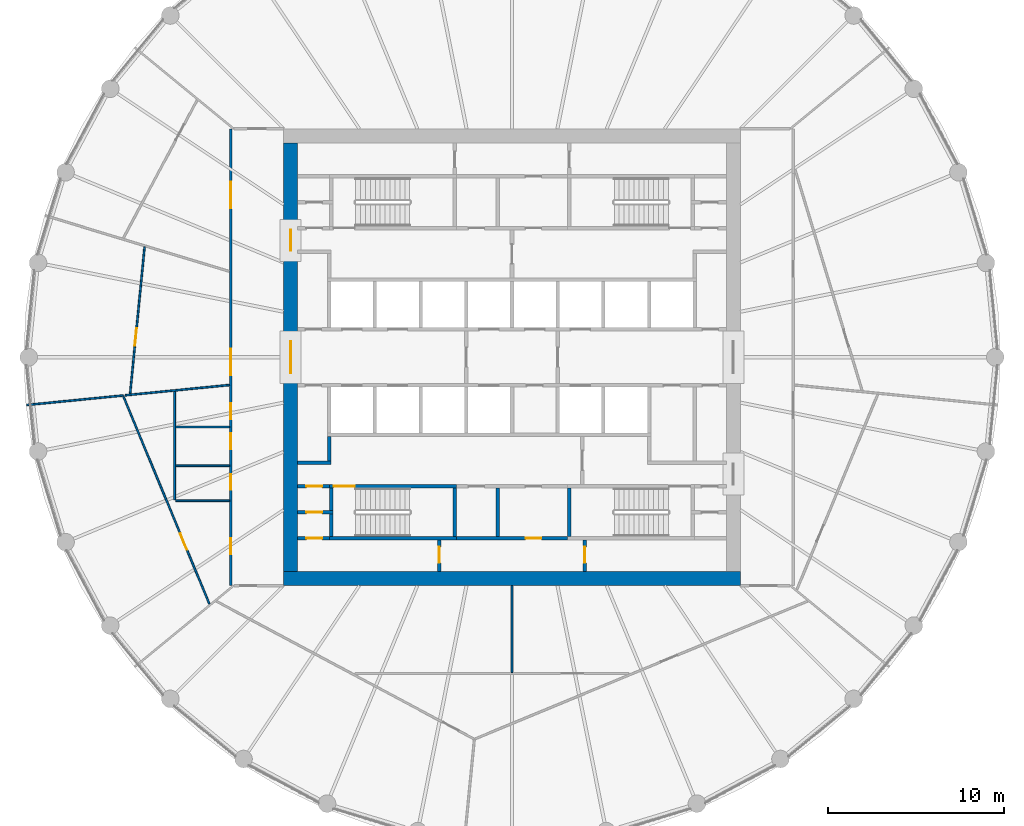
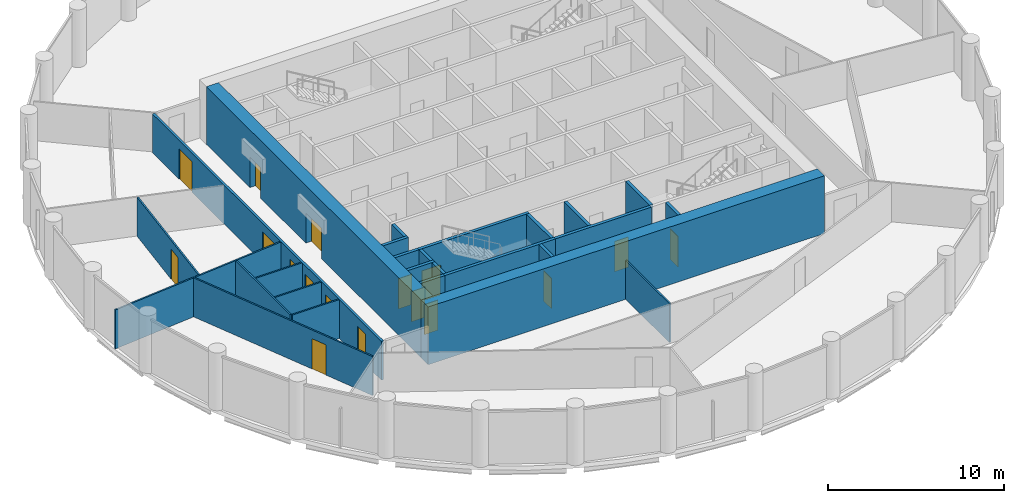
# One storey, part 4 of 9: 27 walls, 17 doors, 17 openings.
"""IFC4 building model written with IfcOpenShell, lengths in metres."""

from ifc_helpers import new_model, si_unit, direction, frame, frame_2d, origin, place, context, subcontext, project, spatial, polyline, rectangle, outline, extrude, material, layer, layer_set, type_object, element, fill, save


model = new_model("IFC4")

# Units and contexts
model_context = context("Model", 3, precision=1e-05, world=origin(), true_north=direction((0.0, 1.0)))
body_context = subcontext(model_context, "Body", "Model", "MODEL_VIEW")
ifc_project = project(units=[si_unit("LENGTHUNIT", "METRE"), si_unit("AREAUNIT", "SQUARE_METRE"), si_unit("VOLUMEUNIT", "CUBIC_METRE"), si_unit("PLANEANGLEUNIT", "RADIAN"), si_unit("MASSUNIT", "GRAM", prefix="KILO")], contexts=[model_context])

# Site, building, storey
site_placement = place(None, origin())
site = spatial("IfcSite", under=ifc_project, at=site_placement, CompositionType="ELEMENT")
building_placement = place(site_placement, origin())
building = spatial("IfcBuilding", under=site, at=building_placement, Name="Corvane Civic Tower", CompositionType="ELEMENT")
storey_placement = place(building_placement, frame((0.0, 0.0, 221.5)))
storey = spatial("IfcBuildingStorey", under=building, at=storey_placement, Name="L52", CompositionType="ELEMENT", Elevation=221.5)

# Wall
ifc_material_1 = material(Name="Concrete C50/60", Category="concrete")
ifc_layer_1 = layer(ifc_material_1, 0.800048828125)
ifc_layer_set_1 = layer_set([ifc_layer_1], Name="Concrete C50/60")
wall_type_1 = type_object("IfcWallType", Name="CORE WALL 800 C50/60", PredefinedType="SHEAR", material=ifc_layer_set_1)
wall_1_placement = place(storey_placement, frame((-13.0, -12.60009765625, 0.0), z_axis=(0.0, 0.0, 1.0), x_axis=(1.0, 0.0, 0.0)))
element("IfcWall", 1, at=wall_1_placement, inside=storey, type_object=wall_type_1, Name="W-L52-core-S", PredefinedType="SHEAR", context=body_context, shape_type="SweptSolid", body=[
    extrude(rectangle(XDim=26.0, YDim=0.800048828125, at=frame_2d((13.0, 0.0))), origin(), (0.0, 0.0, 1.0), 4.0),
])

# Wall, openings, doors
wall_2_placement = place(storey_placement, frame((-12.60009765625, -12.199951171875, 0.0), z_axis=(0.0, 0.0, 1.0), x_axis=(0.0, 1.0, 0.0)))
wall_2 = element("IfcWall", 2, at=wall_2_placement, inside=storey, type_object=wall_type_1, Name="W-L52-core-W", PredefinedType="SHEAR", context=body_context, shape_type="SweptSolid", body=[
    extrude(rectangle(XDim=24.39990234375, YDim=0.800048828125, at=frame_2d((12.199951171875, 0.0))), origin(), (0.0, 0.0, 1.0), 4.0),
])
opening_1_placement = place(wall_2_placement, frame((11.300048828125, 0.0, 0.0)))
opening_1 = element("IfcOpeningElement", 3, at=opening_1_placement, cuts=wall_2, Name="Opening L52.C34", PredefinedType="OPENING", context=body_context, shape_type="SweptSolid", body=[
    extrude(rectangle(XDim=1.800048828125, YDim=2.10009765625, at=frame_2d((0.89990234375, 1.050048828125))), frame((0.0, 0.409912109375, 0.0), z_axis=(0.0, -1.0, 0.0), x_axis=(1.0, 0.0, 0.0)), (0.0, 0.0, 1.0), 0.820068359375),
])
opening_2_placement = place(wall_2_placement, frame((18.25, 0.0, 0.0)))
opening_2 = element("IfcOpeningElement", 4, at=opening_2_placement, cuts=wall_2, Name="Opening L52.C36", PredefinedType="OPENING", context=body_context, shape_type="SweptSolid", body=[
    extrude(rectangle(XDim=1.199951171875, YDim=2.10009765625, at=frame_2d((0.60009765625, 1.050048828125))), frame((0.0, 0.409912109375, 0.0), z_axis=(0.0, -1.0, 0.0), x_axis=(1.0, 0.0, 0.0)), (0.0, 0.0, 1.0), 0.820068359375),
])
ifc_material_2 = material(Name="Steel fire door leaf", Category="steel")
door_type_1 = type_object("IfcDoorType", Name="CR-DOOR-CORE-1800", OperationType="DOUBLE_DOOR_SINGLE_SWING", PredefinedType="DOOR", material=ifc_material_2)
door_1_placement = place(opening_1_placement, origin())
door_1 = element("IfcDoor", 5, at=door_1_placement, inside=storey, type_object=door_type_1, Name="L52 door", OperationType="DOUBLE_DOOR_SINGLE_SWING", OverallHeight=2.10009765625, OverallWidth=1.800048828125, PredefinedType="DOOR", context=body_context, shape_type="SweptSolid", body=[
    extrude(rectangle(XDim=1.800048828125, YDim=2.10009765625, at=frame_2d((0.89990234375, 1.050048828125))), frame((0.0, 0.02490234375, 0.0), z_axis=(0.0, -1.0, 0.0), x_axis=(1.0, 0.0, 0.0)), (0.0, 0.0, 1.0), 0.050048828125),
])
fill(opening_1, door_1)
door_2_placement = place(opening_2_placement, origin())
door_2 = element("IfcDoor", 6, at=door_2_placement, inside=storey, type_object=door_type_1, Name="L52 door", OperationType="DOUBLE_DOOR_SINGLE_SWING", OverallHeight=2.10009765625, OverallWidth=1.199951171875, PredefinedType="DOOR", context=body_context, shape_type="SweptSolid", body=[
    extrude(rectangle(XDim=1.199951171875, YDim=2.10009765625, at=frame_2d((0.60009765625, 1.050048828125))), frame((0.0, 0.02490234375, 0.0), z_axis=(0.0, -1.0, 0.0), x_axis=(1.0, 0.0, 0.0)), (0.0, 0.0, 1.0), 0.050048828125),
])
fill(opening_2, door_2)

# Wall, opening, door
ifc_material_3 = material(Name="Concrete C30/37", Category="concrete")
ifc_layer_2 = layer(ifc_material_3, 0.199951171875)
ifc_layer_set_2 = layer_set([ifc_layer_2], Name="Concrete C30/37")
wall_type_2 = type_object("IfcWallType", Name="CR-WALL-200", PredefinedType="PARTITIONING", material=ifc_layer_set_2)
wall_3_placement = place(storey_placement, frame((-12.199951171875, -10.300048828125, 0.0), z_axis=(0.0, 0.0, 1.0), x_axis=(1.0, 0.0, 0.0)))
wall_3 = element("IfcWall", 7, at=wall_3_placement, inside=storey, type_object=wall_type_2, Name="L52 partition wall", PredefinedType="PARTITIONING", context=body_context, shape_type="SweptSolid", body=[
    extrude(rectangle(XDim=1.800048828125, YDim=0.199951171875, at=frame_2d((0.89990234375, 0.0))), origin(), (0.0, 0.0, 1.0), 3.699951171875),
])
opening_3_placement = place(wall_3_placement, frame((0.5, 0.0, 0.0)))
opening_3 = element("IfcOpeningElement", 8, at=opening_3_placement, cuts=wall_3, Name="Opening L52.C21", PredefinedType="OPENING", context=body_context, shape_type="SweptSolid", body=[
    extrude(rectangle(XDim=0.89990234375, YDim=2.10009765625, at=frame_2d((0.449951171875, 1.050048828125))), frame((0.0, 0.10986328125, 0.0), z_axis=(0.0, -1.0, 0.0), x_axis=(1.0, 0.0, 0.0)), (0.0, 0.0, 1.0), 0.219970703125),
])
ifc_material_4 = material(Name="Steel fire door leaf", Category="steel")
door_type_2 = type_object("IfcDoorType", Name="CR-DOOR-900", OperationType="SINGLE_SWING_LEFT", PredefinedType="DOOR", material=ifc_material_4)
door_3_placement = place(opening_3_placement, origin())
door_3 = element("IfcDoor", 9, at=door_3_placement, inside=storey, type_object=door_type_2, Name="L52 door", OperationType="SINGLE_SWING_LEFT", OverallHeight=2.10009765625, OverallWidth=0.89990234375, PredefinedType="DOOR", context=body_context, shape_type="SweptSolid", body=[
    extrude(rectangle(XDim=0.89990234375, YDim=2.10009765625, at=frame_2d((0.449951171875, 1.050048828125))), frame((0.0, 0.02490234375, 0.0), z_axis=(0.0, -1.0, 0.0), x_axis=(1.0, 0.0, 0.0)), (0.0, 0.0, 1.0), 0.050048828125),
])
fill(opening_3, door_3)

wall_4_placement = place(storey_placement, frame((-3.14990234375, -10.300048828125, 0.0), z_axis=(0.0, 0.0, 1.0), x_axis=(1.0, 0.0, 0.0)))
wall_4 = element("IfcWall", 10, at=wall_4_placement, inside=storey, type_object=wall_type_2, Name="L52 partition wall", PredefinedType="PARTITIONING", context=body_context, shape_type="SweptSolid", body=[
    extrude(rectangle(XDim=6.2998046875, YDim=0.199951171875, at=frame_2d((3.14990234375, 0.0))), origin(), (0.0, 0.0, 1.0), 3.699951171875),
])
opening_4_placement = place(wall_4_placement, frame((3.925048828125, 0.0, 0.0)))
opening_4 = element("IfcOpeningElement", 11, at=opening_4_placement, cuts=wall_4, Name="Opening L52.C15", PredefinedType="OPENING", context=body_context, shape_type="SweptSolid", body=[
    extrude(rectangle(XDim=0.89990234375, YDim=2.10009765625, at=frame_2d((0.449951171875, 1.050048828125))), frame((0.0, 0.10986328125, 0.0), z_axis=(0.0, -1.0, 0.0), x_axis=(1.0, 0.0, 0.0)), (0.0, 0.0, 1.0), 0.219970703125),
])
door_4_placement = place(opening_4_placement, origin())
door_4 = element("IfcDoor", 12, at=door_4_placement, inside=storey, type_object=door_type_2, Name="L52 door", OperationType="SINGLE_SWING_LEFT", OverallHeight=2.10009765625, OverallWidth=0.89990234375, PredefinedType="DOOR", context=body_context, shape_type="SweptSolid", body=[
    extrude(rectangle(XDim=0.89990234375, YDim=2.10009765625, at=frame_2d((0.449951171875, 1.050048828125))), frame((0.0, 0.02490234375, 0.0), z_axis=(0.0, -1.0, 0.0), x_axis=(1.0, 0.0, 0.0)), (0.0, 0.0, 1.0), 0.050048828125),
])
fill(opening_4, door_4)

wall_5_placement = place(storey_placement, frame((-12.199951171875, -8.824951171875, 0.0), z_axis=(0.0, 0.0, 1.0), x_axis=(1.0, 0.0, 0.0)))
wall_5 = element("IfcWall", 13, at=wall_5_placement, inside=storey, type_object=wall_type_2, Name="L52 partition wall", PredefinedType="PARTITIONING", context=body_context, shape_type="SweptSolid", body=[
    extrude(rectangle(XDim=2.0, YDim=0.199951171875, at=frame_2d((1.0, 0.0))), origin(), (0.0, 0.0, 1.0), 3.699951171875),
])
opening_5_placement = place(wall_5_placement, frame((0.5, 0.0, 0.0)))
opening_5 = element("IfcOpeningElement", 14, at=opening_5_placement, cuts=wall_5, Name="Opening L52.C20", PredefinedType="OPENING", context=body_context, shape_type="SweptSolid", body=[
    extrude(rectangle(XDim=0.89990234375, YDim=2.10009765625, at=frame_2d((0.449951171875, 1.050048828125))), frame((0.0, 0.10986328125, 0.0), z_axis=(0.0, -1.0, 0.0), x_axis=(1.0, 0.0, 0.0)), (0.0, 0.0, 1.0), 0.219970703125),
])
door_5_placement = place(opening_5_placement, origin())
door_5 = element("IfcDoor", 15, at=door_5_placement, inside=storey, type_object=door_type_2, Name="L52 door", OperationType="SINGLE_SWING_LEFT", OverallHeight=2.10009765625, OverallWidth=0.89990234375, PredefinedType="DOOR", context=body_context, shape_type="SweptSolid", body=[
    extrude(rectangle(XDim=0.89990234375, YDim=2.10009765625, at=frame_2d((0.449951171875, 1.050048828125))), frame((0.0, 0.02490234375, 0.0), z_axis=(0.0, -1.0, 0.0), x_axis=(1.0, 0.0, 0.0)), (0.0, 0.0, 1.0), 0.050048828125),
])
fill(opening_5, door_5)

wall_6_placement = place(storey_placement, frame((-12.199951171875, -7.35009765625, 0.0), z_axis=(0.0, 0.0, 1.0), x_axis=(1.0, 0.0, 0.0)))
wall_6 = element("IfcWall", 16, at=wall_6_placement, inside=storey, type_object=wall_type_2, Name="L52 core partition wall", PredefinedType="PARTITIONING", context=body_context, shape_type="SweptSolid", body=[
    extrude(rectangle(XDim=1.800048828125, YDim=0.199951171875, at=frame_2d((0.89990234375, 0.0))), origin(), (0.0, 0.0, 1.0), 3.699951171875),
])
opening_6_placement = place(wall_6_placement, frame((0.5, 0.0, 0.0)))
opening_6 = element("IfcOpeningElement", 17, at=opening_6_placement, cuts=wall_6, Name="Opening L52.C19", PredefinedType="OPENING", context=body_context, shape_type="SweptSolid", body=[
    extrude(rectangle(XDim=0.89990234375, YDim=2.10009765625, at=frame_2d((0.449951171875, 1.050048828125))), frame((0.0, 0.10986328125, 0.0), z_axis=(0.0, -1.0, 0.0), x_axis=(1.0, 0.0, 0.0)), (0.0, 0.0, 1.0), 0.219970703125),
])
door_6_placement = place(opening_6_placement, origin())
door_6 = element("IfcDoor", 18, at=door_6_placement, inside=storey, type_object=door_type_2, Name="L52 door", OperationType="SINGLE_SWING_LEFT", OverallHeight=2.10009765625, OverallWidth=0.89990234375, PredefinedType="DOOR", context=body_context, shape_type="SweptSolid", body=[
    extrude(rectangle(XDim=0.89990234375, YDim=2.10009765625, at=frame_2d((0.449951171875, 1.050048828125))), frame((0.0, 0.02490234375, 0.0), z_axis=(0.0, -1.0, 0.0), x_axis=(1.0, 0.0, 0.0)), (0.0, 0.0, 1.0), 0.050048828125),
])
fill(opening_6, door_6)

wall_7_placement = place(storey_placement, frame((-4.14990234375, -12.199951171875, 0.0), z_axis=(0.0, 0.0, 1.0), x_axis=(0.0, 1.0, 0.0)))
wall_7 = element("IfcWall", 19, at=wall_7_placement, inside=storey, type_object=wall_type_2, Name="L52 partition wall", PredefinedType="PARTITIONING", context=body_context, shape_type="SweptSolid", body=[
    extrude(rectangle(XDim=1.800048828125, YDim=0.199951171875, at=frame_2d((0.89990234375, 0.0))), origin(), (0.0, 0.0, 1.0), 3.699951171875),
])
opening_7_placement = place(wall_7_placement, frame((0.5, 0.0, 0.0)))
opening_7 = element("IfcOpeningElement", 20, at=opening_7_placement, cuts=wall_7, Name="Opening L52.C14", PredefinedType="OPENING", context=body_context, shape_type="SweptSolid", body=[
    extrude(rectangle(XDim=0.89990234375, YDim=2.10009765625, at=frame_2d((0.449951171875, 1.050048828125))), frame((0.0, 0.10986328125, 0.0), z_axis=(0.0, -1.0, 0.0), x_axis=(1.0, 0.0, 0.0)), (0.0, 0.0, 1.0), 0.219970703125),
])
door_7_placement = place(opening_7_placement, origin())
door_7 = element("IfcDoor", 21, at=door_7_placement, inside=storey, type_object=door_type_2, Name="L52 door", OperationType="SINGLE_SWING_LEFT", OverallHeight=2.10009765625, OverallWidth=0.89990234375, PredefinedType="DOOR", context=body_context, shape_type="SweptSolid", body=[
    extrude(rectangle(XDim=0.89990234375, YDim=2.10009765625, at=frame_2d((0.449951171875, 1.050048828125))), frame((0.0, 0.02490234375, 0.0), z_axis=(0.0, -1.0, 0.0), x_axis=(1.0, 0.0, 0.0)), (0.0, 0.0, 1.0), 0.050048828125),
])
fill(opening_7, door_7)

wall_8_placement = place(storey_placement, frame((4.14990234375, -12.199951171875, 0.0), z_axis=(0.0, 0.0, 1.0), x_axis=(0.0, 1.0, 0.0)))
wall_8 = element("IfcWall", 22, at=wall_8_placement, inside=storey, type_object=wall_type_2, Name="L52 partition wall", PredefinedType="PARTITIONING", context=body_context, shape_type="SweptSolid", body=[
    extrude(rectangle(XDim=1.800048828125, YDim=0.199951171875, at=frame_2d((0.89990234375, 0.0))), origin(), (0.0, 0.0, 1.0), 3.699951171875),
])
opening_8_placement = place(wall_8_placement, frame((0.5, 0.0, 0.0)))
opening_8 = element("IfcOpeningElement", 23, at=opening_8_placement, cuts=wall_8, Name="Opening L52.C16", PredefinedType="OPENING", context=body_context, shape_type="SweptSolid", body=[
    extrude(rectangle(XDim=0.89990234375, YDim=2.10009765625, at=frame_2d((0.449951171875, 1.050048828125))), frame((0.0, 0.10986328125, 0.0), z_axis=(0.0, -1.0, 0.0), x_axis=(1.0, 0.0, 0.0)), (0.0, 0.0, 1.0), 0.219970703125),
])
door_8_placement = place(opening_8_placement, origin())
door_8 = element("IfcDoor", 24, at=door_8_placement, inside=storey, type_object=door_type_2, Name="L52 door", OperationType="SINGLE_SWING_LEFT", OverallHeight=2.10009765625, OverallWidth=0.89990234375, PredefinedType="DOOR", context=body_context, shape_type="SweptSolid", body=[
    extrude(rectangle(XDim=0.89990234375, YDim=2.10009765625, at=frame_2d((0.449951171875, 1.050048828125))), frame((0.0, 0.02490234375, 0.0), z_axis=(0.0, -1.0, 0.0), x_axis=(1.0, 0.0, 0.0)), (0.0, 0.0, 1.0), 0.050048828125),
])
fill(opening_8, door_8)

# Walls
wall_9_placement = place(storey_placement, origin())
element("IfcWall", 25, at=wall_9_placement, inside=storey, type_object=wall_type_2, Name="L52 core partition wall", PredefinedType="PARTITIONING", context=body_context, shape_type="SweptSolid", body=[
    extrude(outline(polyline([(-10.300048828125, -6.10009765625), (-12.199951171875, -6.10009765625), (-12.199951171875, -5.89990234375), (-10.300048828125, -5.89990234375), (-10.300048828125, -6.10009765625)])), origin(), (0.0, 0.0, 1.0), 3.699951171875),
])
wall_10_placement = place(storey_placement, origin())
element("IfcWall", 26, at=wall_10_placement, inside=storey, type_object=wall_type_2, Name="L52 core partition wall", PredefinedType="PARTITIONING", context=body_context, shape_type="SweptSolid", body=[
    extrude(outline(polyline([(-10.300048828125, -5.89990234375), (-10.5, -5.89990234375), (-10.5, -4.5), (-10.300048828125, -4.5), (-10.300048828125, -5.89990234375)])), origin(), (0.0, 0.0, 1.0), 3.699951171875),
])
wall_11_placement = place(storey_placement, origin())
element("IfcWall", 27, at=wall_11_placement, inside=storey, type_object=wall_type_2, Name="L52 core partition wall", PredefinedType="PARTITIONING", context=body_context, shape_type="SweptSolid", body=[
    extrude(outline(polyline([(-0.699951171875, -10.199951171875), (-0.89990234375, -10.199951171875), (-0.89990234375, -7.449951171875), (-0.699951171875, -7.449951171875), (-0.699951171875, -10.199951171875)])), origin(), (0.0, 0.0, 1.0), 3.699951171875),
])
ifc_material_5 = material(Name="Plasterboard")
ifc_layer_3 = layer(ifc_material_5, 0.10009765625)
ifc_layer_set_3 = layer_set([ifc_layer_3], Name="Plasterboard")
wall_type_3 = type_object("IfcWallType", Name="Partition 100 plasterboard on studs", PredefinedType="PARTITIONING", material=ifc_layer_set_3)
wall_12_placement = place(storey_placement, frame((0.0, -17.949951171875, 0.0), z_axis=(0.0, 0.0, 1.0), x_axis=(0.0, 1.0, 0.0)))
element("IfcWall", 28, at=wall_12_placement, inside=storey, type_object=wall_type_3, Name="Partition L52.005", PredefinedType="PARTITIONING", context=body_context, shape_type="SweptSolid", body=[
    extrude(rectangle(XDim=4.949951171875, YDim=0.10009765625, at=frame_2d((2.47509765625, 0.0))), origin(), (0.0, 0.0, 1.0), 2.699951171875),
])

# Wall, opening, door
wall_13_placement = place(storey_placement, frame((-22.12255859375, -2.21337890625, 0.0), z_axis=(0.0, 0.0, 1.0), x_axis=(0.382679445748, -0.923881183812, 0.0)))
wall_13 = element("IfcWall", 29, at=wall_13_placement, inside=storey, type_object=wall_type_3, Name="Partition L52.008", PredefinedType="PARTITIONING", context=body_context, shape_type="SweptSolid", body=[
    extrude(rectangle(XDim=12.810546875, YDim=0.10009765625, at=frame_2d((6.4052734375, 0.0))), origin(), (0.0, 0.0, 1.0), 2.699951171875),
])
opening_9_placement = place(wall_13_placement, frame((8.466064453125, 0.0, 0.0)))
opening_9 = element("IfcOpeningElement", 30, at=opening_9_placement, cuts=wall_13, Name="Opening L52.011", PredefinedType="OPENING", context=body_context, shape_type="SweptSolid", body=[
    extrude(rectangle(XDim=1.0, YDim=2.10009765625, at=frame_2d((0.5, 1.050048828125))), frame((0.0, 0.06005859375, 0.0), z_axis=(0.0, -1.0, 0.0), x_axis=(1.0, 0.0, 0.0)), (0.0, 0.0, 1.0), 0.1201171875),
])
ifc_material_6 = material(Name="Timber", Category="wood")
door_type_3 = type_object("IfcDoorType", Name="Single door 1000", OperationType="NOTDEFINED", PredefinedType="DOOR", material=ifc_material_6)
door_9_placement = place(opening_9_placement, frame((1.0, 0.0, 0.0), z_axis=(0.0, 0.0, 1.0), x_axis=(-1.0, 0.0, 0.0)))
door_9 = element("IfcDoor", 31, at=door_9_placement, inside=storey, type_object=door_type_3, Name="Door L52.011", OperationType="SINGLE_SWING_RIGHT", OverallHeight=2.10009765625, OverallWidth=1.0, PredefinedType="DOOR", context=body_context, shape_type="SweptSolid", body=[
    extrude(rectangle(XDim=1.0, YDim=2.10009765625, at=frame_2d((0.5, 1.050048828125))), frame((0.0, 0.02490234375, 0.0), z_axis=(0.0, -1.0, 0.0), x_axis=(1.0, 0.0, 0.0)), (0.0, 0.0, 1.0), 0.050048828125),
])
fill(opening_9, door_9)

# Walls
wall_14_placement = place(storey_placement, frame((-19.14990234375, -8.17578125, 0.0), z_axis=(0.0, 0.0, 1.0), x_axis=(1.0, 0.0, 0.0)))
element("IfcWall", 32, at=wall_14_placement, inside=storey, type_object=wall_type_3, Name="Partition L52.014", PredefinedType="PARTITIONING", context=body_context, shape_type="SweptSolid", body=[
    extrude(rectangle(XDim=3.074951171875, YDim=0.10009765625, at=frame_2d((1.53759765625, 0.0))), origin(), (0.0, 0.0, 1.0), 2.699951171875),
])
wall_15_placement = place(storey_placement, frame((-19.199951171875, -8.1259765625, 0.0), z_axis=(0.0, 0.0, 1.0), x_axis=(0.0, 1.0, 0.0)))
element("IfcWall", 33, at=wall_15_placement, inside=storey, type_object=wall_type_3, Name="Partition L52.015", PredefinedType="PARTITIONING", context=body_context, shape_type="SweptSolid", body=[
    extrude(rectangle(XDim=6.1796875, YDim=0.10009765625, at=frame_2d((3.08984375, 0.0))), origin(), (0.0, 0.0, 1.0), 2.699951171875),
])
for number, where, z_axis, x_axis, name in (
    (34, (-19.14990234375, -6.17578125, 0.0), (0.0, 0.0, 1.0), (1.0, 0.0, 0.0), "Partition L52.016"),
    (35, (-19.14990234375, -3.975830078125, 0.0), (0.0, 0.0, 1.0), (1.0, 0.0, 0.0), "Partition L52.017"),
):
    element("IfcWall", number, at=place(storey_placement, frame(where, z_axis=z_axis, x_axis=x_axis)), inside=storey, type_object=wall_type_3, Name=name, PredefinedType="PARTITIONING", context=body_context, shape_type="SweptSolid", body=[
        extrude(rectangle(XDim=3.074951171875, YDim=0.10009765625, at=frame_2d((1.53759765625, 0.0))), origin(), (0.0, 0.0, 1.0), 2.699951171875),
    ])
wall_16_placement = place(storey_placement, frame((-27.616455078125, -2.719970703125, 0.0), z_axis=(0.0, 0.0, 1.0), x_axis=(0.995184610858, 0.098018316201, 0.0)))
element("IfcWall", 36, at=wall_16_placement, inside=storey, type_object=wall_type_3, Name="Partition L52.018", PredefinedType="PARTITIONING", context=body_context, shape_type="SweptSolid", body=[
    extrude(rectangle(XDim=5.51708984375, YDim=0.10009765625, at=frame_2d((2.758544921875, 0.0))), origin(), (0.0, 0.0, 1.0), 2.699951171875),
])
wall_17_placement = place(storey_placement, frame((-22.010009765625, -2.167724609375, 0.0), z_axis=(0.0, 0.0, 1.0), x_axis=(0.99518615008, 0.098002687155, 0.0)))
element("IfcWall", 37, at=wall_17_placement, inside=storey, type_object=wall_type_3, Name="Partition L52.020", PredefinedType="PARTITIONING", context=body_context, shape_type="SweptSolid", body=[
    extrude(rectangle(XDim=5.958740234375, YDim=0.10009765625, at=frame_2d((2.9794921875, 0.0))), origin(), (0.0, 0.0, 1.0), 2.699951171875),
])

# Wall, opening, door
wall_18_placement = place(storey_placement, frame((-21.73193359375, -2.080322265625, 0.0), z_axis=(0.0, 0.0, 1.0), x_axis=(0.097995852341, 0.995186823126, 0.0)))
wall_18 = element("IfcWall", 38, at=wall_18_placement, inside=storey, type_object=wall_type_3, Name="Partition L52.021", PredefinedType="PARTITIONING", context=body_context, shape_type="SweptSolid", body=[
    extrude(rectangle(XDim=8.40087890625, YDim=0.10009765625, at=frame_2d((4.200439453125, 0.0))), origin(), (0.0, 0.0, 1.0), 2.699951171875),
])
opening_10_placement = place(wall_18_placement, frame((2.73828125, 0.0, 0.0)))
opening_10 = element("IfcOpeningElement", 39, at=opening_10_placement, cuts=wall_18, Name="Opening L52.016", PredefinedType="OPENING", context=body_context, shape_type="SweptSolid", body=[
    extrude(rectangle(XDim=1.0, YDim=2.10009765625, at=frame_2d((0.5, 1.050048828125))), frame((0.0, 0.06005859375, 0.0), z_axis=(0.0, -1.0, 0.0), x_axis=(1.0, 0.0, 0.0)), (0.0, 0.0, 1.0), 0.1201171875),
])
door_10_placement = place(opening_10_placement, origin())
door_10 = element("IfcDoor", 40, at=door_10_placement, inside=storey, type_object=door_type_3, Name="Door L52.016", OperationType="SINGLE_SWING_LEFT", OverallHeight=2.10009765625, OverallWidth=1.0, PredefinedType="DOOR", context=body_context, shape_type="SweptSolid", body=[
    extrude(rectangle(XDim=1.0, YDim=2.10009765625, at=frame_2d((0.5, 1.050048828125))), frame((0.0, 0.02490234375, 0.0), z_axis=(0.0, -1.0, 0.0), x_axis=(1.0, 0.0, 0.0)), (0.0, 0.0, 1.0), 0.050048828125),
])
fill(opening_10, door_10)

ifc_material_7 = material(Name="Concrete C50/60", Category="concrete")
ifc_layer_4 = layer(ifc_material_7, 0.199951171875)
ifc_layer_set_4 = layer_set([ifc_layer_4], Name="Concrete C50/60")
wall_type_4 = type_object("IfcWallType", Name="ST-WALL-200", PredefinedType="SHEAR", material=ifc_layer_set_4)
wall_19_placement = place(storey_placement, frame((-10.39990234375, -7.35009765625, 0.0), z_axis=(0.0, 0.0, 1.0), x_axis=(1.0, 0.0, 0.0)))
wall_19 = element("IfcWall", 41, at=wall_19_placement, inside=storey, type_object=wall_type_4, Name="L52 stair enclosure wall", PredefinedType="SHEAR", context=body_context, shape_type="SweptSolid", body=[
    extrude(rectangle(XDim=7.25, YDim=0.199951171875, at=frame_2d((3.625, 0.0))), origin(), (0.0, 0.0, 1.0), 3.699951171875),
])
opening_11_placement = place(wall_19_placement, frame((0.25, 0.0, 0.0)))
opening_11 = element("IfcOpeningElement", 42, at=opening_11_placement, cuts=wall_19, Name="Opening L52.C29", PredefinedType="OPENING", context=body_context, shape_type="SweptSolid", body=[
    extrude(rectangle(XDim=1.199951171875, YDim=2.10009765625, at=frame_2d((0.60009765625, 1.050048828125))), frame((0.0, 0.10986328125, 0.0), z_axis=(0.0, -1.0, 0.0), x_axis=(1.0, 0.0, 0.0)), (0.0, 0.0, 1.0), 0.219970703125),
])
ifc_material_8 = material(Name="Steel fire door leaf", Category="steel")
door_type_4 = type_object("IfcDoorType", Name="ST-DOOR-1200", OperationType="SINGLE_SWING_RIGHT", PredefinedType="DOOR", material=ifc_material_8)
door_11_placement = place(opening_11_placement, origin())
door_11 = element("IfcDoor", 43, at=door_11_placement, inside=storey, type_object=door_type_4, Name="L52 stair door", OperationType="SINGLE_SWING_RIGHT", OverallHeight=2.10009765625, OverallWidth=1.199951171875, PredefinedType="DOOR", context=body_context, shape_type="SweptSolid", body=[
    extrude(rectangle(XDim=1.199951171875, YDim=2.10009765625, at=frame_2d((0.60009765625, 1.050048828125))), frame((0.0, 0.02490234375, 0.0), z_axis=(0.0, -1.0, 0.0), x_axis=(1.0, 0.0, 0.0)), (0.0, 0.0, 1.0), 0.050048828125),
])
fill(opening_11, door_11)

# Walls
wall_20_placement = place(storey_placement, origin())
element("IfcWall", 44, at=wall_20_placement, inside=storey, type_object=wall_type_4, Name="L52 stair enclosure wall", PredefinedType="SHEAR", context=body_context, shape_type="SweptSolid", body=[
    extrude(outline(polyline([(-3.14990234375, -10.199951171875), (-3.14990234375, -10.39990234375), (-10.39990234375, -10.39990234375), (-10.39990234375, -10.199951171875), (-3.14990234375, -10.199951171875)])), origin(), (0.0, 0.0, 1.0), 3.699951171875),
])
wall_21_placement = place(storey_placement, origin())
element("IfcWall", 45, at=wall_21_placement, inside=storey, type_object=wall_type_4, Name="L52 stair enclosure wall", PredefinedType="SHEAR", context=body_context, shape_type="SweptSolid", body=[
    extrude(outline(polyline([(-3.14990234375, -7.449951171875), (-3.14990234375, -10.199951171875), (-3.35009765625, -10.199951171875), (-3.35009765625, -7.449951171875), (-3.14990234375, -7.449951171875)])), origin(), (0.0, 0.0, 1.0), 3.699951171875),
])
wall_22_placement = place(storey_placement, origin())
element("IfcWall", 46, at=wall_22_placement, inside=storey, type_object=wall_type_4, Name="L52 stair enclosure wall", PredefinedType="SHEAR", context=body_context, shape_type="SweptSolid", body=[
    extrude(outline(polyline([(3.35009765625, -7.449951171875), (3.35009765625, -10.199951171875), (3.14990234375, -10.199951171875), (3.14990234375, -7.449951171875), (3.35009765625, -7.449951171875)])), origin(), (0.0, 0.0, 1.0), 3.699951171875),
])
wall_23_placement = place(storey_placement, origin())
element("IfcWall", 47, at=wall_23_placement, inside=storey, type_object=wall_type_4, Name="L52 stair enclosure wall", PredefinedType="SHEAR", context=body_context, shape_type="SweptSolid", body=[
    extrude(outline(polyline([(-10.199951171875, -7.449951171875), (-10.199951171875, -8.72509765625), (-10.39990234375, -8.72509765625), (-10.39990234375, -7.449951171875), (-10.199951171875, -7.449951171875)])), origin(), (0.0, 0.0, 1.0), 3.699951171875),
])
wall_24_placement = place(storey_placement, origin())
element("IfcWall", 48, at=wall_24_placement, inside=storey, type_object=wall_type_4, Name="L52 stair enclosure wall", PredefinedType="SHEAR", context=body_context, shape_type="SweptSolid", body=[
    extrude(outline(polyline([(-10.199951171875, -8.925048828125), (-10.199951171875, -10.199951171875), (-10.39990234375, -10.199951171875), (-10.39990234375, -8.925048828125), (-10.199951171875, -8.925048828125)])), origin(), (0.0, 0.0, 1.0), 3.699951171875),
])

# Wall, openings, doors
ifc_material_9 = material(Name="Plasterboard")
ifc_layer_5 = layer(ifc_material_9, 0.14990234375)
ifc_layer_set_5 = layer_set([ifc_layer_5], Name="Plasterboard")
wall_type_5 = type_object("IfcWallType", Name="Tenancy wall 150 EI 60", PredefinedType="PARTITIONING", material=ifc_layer_set_5)
wall_25_placement = place(storey_placement, frame((-16.0, -13.0, 0.0), z_axis=(0.0, 0.0, 1.0), x_axis=(0.0, 1.0, 0.0)))
wall_25 = element("IfcWall", 49, at=wall_25_placement, inside=storey, type_object=wall_type_5, Name="Partition L52.010", PredefinedType="PARTITIONING", context=body_context, shape_type="SweptSolid", body=[
    extrude(rectangle(XDim=26.0, YDim=0.14990234375, at=frame_2d((13.0, 0.0))), origin(), (0.0, 0.0, 1.0), 2.699951171875),
])
opening_12_placement = place(wall_25_placement, frame((1.783203125, 0.0, 0.0)))
opening_12 = element("IfcOpeningElement", 50, at=opening_12_placement, cuts=wall_25, Name="Opening L52.012", PredefinedType="OPENING", context=body_context, shape_type="SweptSolid", body=[
    extrude(rectangle(XDim=0.89990234375, YDim=2.10009765625, at=frame_2d((0.449951171875, 1.050048828125))), frame((0.0, 0.0849609375, 0.0), z_axis=(0.0, -1.0, 0.0), x_axis=(1.0, 0.0, 0.0)), (0.0, 0.0, 1.0), 0.169921875),
])
opening_13_placement = place(wall_25_placement, frame((9.47412109375, 0.0, 0.0)))
opening_13 = element("IfcOpeningElement", 51, at=opening_13_placement, cuts=wall_25, Name="Opening L52.013", PredefinedType="OPENING", context=body_context, shape_type="SweptSolid", body=[
    extrude(rectangle(XDim=0.89990234375, YDim=2.10009765625, at=frame_2d((0.449951171875, 1.050048828125))), frame((0.0, 0.0849609375, 0.0), z_axis=(0.0, -1.0, 0.0), x_axis=(1.0, 0.0, 0.0)), (0.0, 0.0, 1.0), 0.169921875),
])
opening_14_placement = place(wall_25_placement, frame((7.764404296875, 0.0, 0.0)))
opening_14 = element("IfcOpeningElement", 52, at=opening_14_placement, cuts=wall_25, Name="Opening L52.014", PredefinedType="OPENING", context=body_context, shape_type="SweptSolid", body=[
    extrude(rectangle(XDim=0.89990234375, YDim=2.10009765625, at=frame_2d((0.449951171875, 1.050048828125))), frame((0.0, 0.0849609375, 0.0), z_axis=(0.0, -1.0, 0.0), x_axis=(1.0, 0.0, 0.0)), (0.0, 0.0, 1.0), 0.169921875),
])
opening_15_placement = place(wall_25_placement, frame((5.44287109375, 0.0, 0.0)))
opening_15 = element("IfcOpeningElement", 53, at=opening_15_placement, cuts=wall_25, Name="Opening L52.015", PredefinedType="OPENING", context=body_context, shape_type="SweptSolid", body=[
    extrude(rectangle(XDim=0.89990234375, YDim=2.10009765625, at=frame_2d((0.449951171875, 1.050048828125))), frame((0.0, 0.0849609375, 0.0), z_axis=(0.0, -1.0, 0.0), x_axis=(1.0, 0.0, 0.0)), (0.0, 0.0, 1.0), 0.169921875),
])
opening_16_placement = place(wall_25_placement, frame((11.982666015625, 0.0, 0.0)))
opening_16 = element("IfcOpeningElement", 54, at=opening_16_placement, cuts=wall_25, Name="Opening L52.017", PredefinedType="OPENING", context=body_context, shape_type="SweptSolid", body=[
    extrude(rectangle(XDim=1.5, YDim=2.10009765625, at=frame_2d((0.75, 1.050048828125))), frame((0.0, 0.0849609375, 0.0), z_axis=(0.0, -1.0, 0.0), x_axis=(1.0, 0.0, 0.0)), (0.0, 0.0, 1.0), 0.169921875),
])
opening_17_placement = place(wall_25_placement, frame((21.476806640625, 0.0, 0.0)))
opening_17 = element("IfcOpeningElement", 55, at=opening_17_placement, cuts=wall_25, Name="Opening L52.019", PredefinedType="OPENING", context=body_context, shape_type="SweptSolid", body=[
    extrude(rectangle(XDim=1.5, YDim=2.10009765625, at=frame_2d((0.75, 1.050048828125))), frame((0.0, 0.0849609375, 0.0), z_axis=(0.0, -1.0, 0.0), x_axis=(1.0, 0.0, 0.0)), (0.0, 0.0, 1.0), 0.169921875),
])
ifc_material_10 = material(Name="Steel and timber", Category="steel")
door_type_5 = type_object("IfcDoorType", Name="Fire door FD30S 900", OperationType="NOTDEFINED", PredefinedType="DOOR", material=ifc_material_10)
door_12_placement = place(opening_12_placement, origin())
door_12 = element("IfcDoor", 56, at=door_12_placement, inside=storey, type_object=door_type_5, Name="Door L52.012", OperationType="SINGLE_SWING_LEFT", OverallHeight=2.10009765625, OverallWidth=0.89990234375, PredefinedType="DOOR", context=body_context, shape_type="SweptSolid", body=[
    extrude(rectangle(XDim=0.89990234375, YDim=2.10009765625, at=frame_2d((0.449951171875, 1.050048828125))), frame((0.0, 0.02490234375, 0.0), z_axis=(0.0, -1.0, 0.0), x_axis=(1.0, 0.0, 0.0)), (0.0, 0.0, 1.0), 0.050048828125),
])
fill(opening_12, door_12)
door_13_placement = place(opening_13_placement, origin())
door_13 = element("IfcDoor", 57, at=door_13_placement, inside=storey, type_object=door_type_5, Name="Door L52.013", OperationType="SINGLE_SWING_LEFT", OverallHeight=2.10009765625, OverallWidth=0.89990234375, PredefinedType="DOOR", context=body_context, shape_type="SweptSolid", body=[
    extrude(rectangle(XDim=0.89990234375, YDim=2.10009765625, at=frame_2d((0.449951171875, 1.050048828125))), frame((0.0, 0.02490234375, 0.0), z_axis=(0.0, -1.0, 0.0), x_axis=(1.0, 0.0, 0.0)), (0.0, 0.0, 1.0), 0.050048828125),
])
fill(opening_13, door_13)
door_14_placement = place(opening_14_placement, origin())
door_14 = element("IfcDoor", 58, at=door_14_placement, inside=storey, type_object=door_type_5, Name="Door L52.014", OperationType="SINGLE_SWING_RIGHT", OverallHeight=2.10009765625, OverallWidth=0.89990234375, PredefinedType="DOOR", context=body_context, shape_type="SweptSolid", body=[
    extrude(rectangle(XDim=0.89990234375, YDim=2.10009765625, at=frame_2d((0.449951171875, 1.050048828125))), frame((0.0, 0.02490234375, 0.0), z_axis=(0.0, -1.0, 0.0), x_axis=(1.0, 0.0, 0.0)), (0.0, 0.0, 1.0), 0.050048828125),
])
fill(opening_14, door_14)
door_15_placement = place(opening_15_placement, origin())
door_15 = element("IfcDoor", 59, at=door_15_placement, inside=storey, type_object=door_type_5, Name="Door L52.015", OperationType="SINGLE_SWING_LEFT", OverallHeight=2.10009765625, OverallWidth=0.89990234375, PredefinedType="DOOR", context=body_context, shape_type="SweptSolid", body=[
    extrude(rectangle(XDim=0.89990234375, YDim=2.10009765625, at=frame_2d((0.449951171875, 1.050048828125))), frame((0.0, 0.02490234375, 0.0), z_axis=(0.0, -1.0, 0.0), x_axis=(1.0, 0.0, 0.0)), (0.0, 0.0, 1.0), 0.050048828125),
])
fill(opening_15, door_15)
ifc_material_11 = material(Name="Steel and timber", Category="steel")
door_type_6 = type_object("IfcDoorType", Name="Fire door FD60 double 1500", OperationType="NOTDEFINED", PredefinedType="DOOR", material=ifc_material_11)
door_16_placement = place(opening_16_placement, origin())
door_16 = element("IfcDoor", 60, at=door_16_placement, inside=storey, type_object=door_type_6, Name="Door L52.017", OperationType="DOUBLE_DOOR_SINGLE_SWING", OverallHeight=2.10009765625, OverallWidth=1.5, PredefinedType="DOOR", context=body_context, shape_type="SweptSolid", body=[
    extrude(rectangle(XDim=1.5, YDim=2.10009765625, at=frame_2d((0.75, 1.050048828125))), frame((0.0, 0.02490234375, 0.0), z_axis=(0.0, -1.0, 0.0), x_axis=(1.0, 0.0, 0.0)), (0.0, 0.0, 1.0), 0.050048828125),
])
fill(opening_16, door_16)
door_17_placement = place(opening_17_placement, origin())
door_17 = element("IfcDoor", 61, at=door_17_placement, inside=storey, type_object=door_type_6, Name="Door L52.019", OperationType="DOUBLE_DOOR_SINGLE_SWING", OverallHeight=2.10009765625, OverallWidth=1.5, PredefinedType="DOOR", context=body_context, shape_type="SweptSolid", body=[
    extrude(rectangle(XDim=1.5, YDim=2.10009765625, at=frame_2d((0.75, 1.050048828125))), frame((0.0, 0.02490234375, 0.0), z_axis=(0.0, -1.0, 0.0), x_axis=(1.0, 0.0, 0.0)), (0.0, 0.0, 1.0), 0.050048828125),
])
fill(opening_17, door_17)

save(model, "model.ifc")
